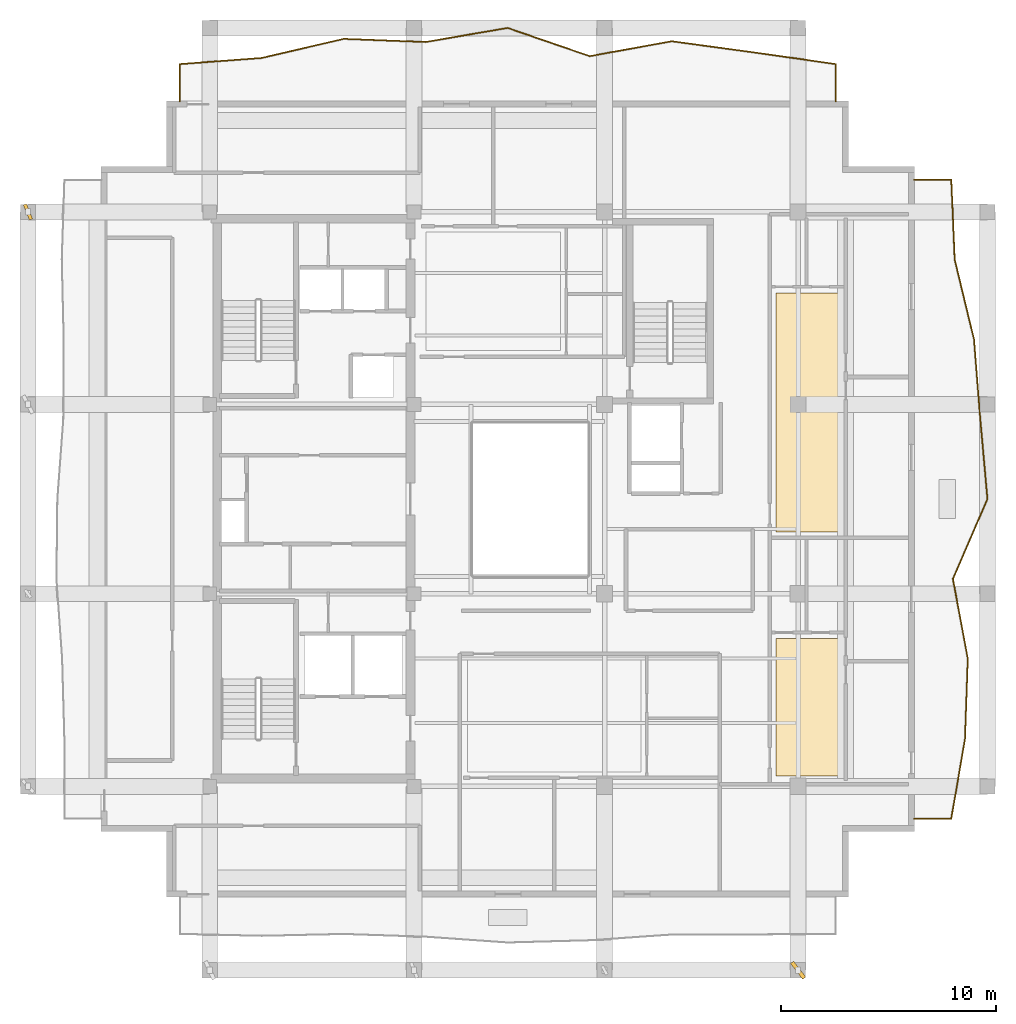
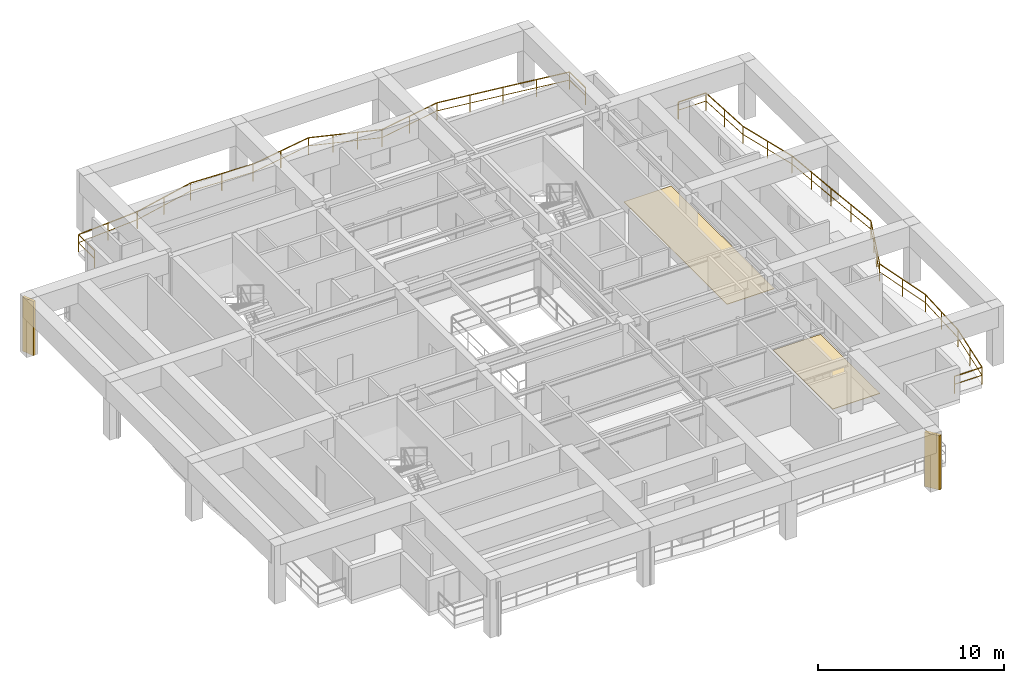
# One storey, part 9 of 10: 2 coverings, 2 railings, 2 shading devices.
"""IFC4 building model written with IfcOpenShell, lengths in metres."""

from ifc_helpers import new_model, si_unit, direction, frame, origin, origin_2d, place, context, subcontext, project, spatial, polyline, rectangle, outline, extrude, material, layer, layer_set, type_object, element, save


model = new_model("IFC4")

# Units and contexts
model_context = context("Model", 3, precision=1e-05, world=origin(), true_north=direction((0.0, 1.0)))
body_context = subcontext(model_context, "Body", "Model", "MODEL_VIEW")
ifc_project = project(units=[si_unit("LENGTHUNIT", "METRE"), si_unit("AREAUNIT", "SQUARE_METRE"), si_unit("VOLUMEUNIT", "CUBIC_METRE"), si_unit("PLANEANGLEUNIT", "RADIAN"), si_unit("MASSUNIT", "GRAM", prefix="KILO")], contexts=[model_context])

# Site, building, storey
site_placement = place(None, origin())
site = spatial("IfcSite", under=ifc_project, at=site_placement, CompositionType="ELEMENT")
building_placement = place(site_placement, origin())
building = spatial("IfcBuilding", under=site, at=building_placement, Name="Kundavana Baori Tower", CompositionType="ELEMENT")
storey_placement = place(building_placement, frame((0.0, 0.0, 323.89990234375)))
storey = spatial("IfcBuildingStorey", under=building, at=storey_placement, Name="L80", CompositionType="ELEMENT", Elevation=323.89990234375)

# Coverings
ifc_material_1 = material(Name="Honed Kota Stone and Terrazzo Flooring", Category="masonry")
ifc_layer = layer(ifc_material_1, 0.030029296875, Name="COV-INT-FLR")
ifc_layer_set = layer_set([ifc_layer], Name="Honed Kota Stone and Terrazzo Flooring")
covering_type = type_object("IfcCoveringType", Name="COV-INT-FLR", PredefinedType="FLOORING", material=ifc_layer_set)
covering_1_placement = place(storey_placement, origin())
element("IfcCovering", 1, at=covering_1_placement, inside=storey, type_object=covering_type, Name="L80 Room Finished Stone Flooring 3", PredefinedType="FLOORING", context=body_context, shape_type="SweptSolid", body=[
    extrude(outline(polyline([(41.780029296875, 15.72998046875), (44.719970703125, 15.72998046875), (44.719970703125, 22.1201171875), (41.780029296875, 22.1201171875), (41.780029296875, 15.72998046875)])), origin(), (0.0, 0.0, 1.0), 0.030029296875),
])
covering_2_placement = place(storey_placement, origin())
element("IfcCovering", 2, at=covering_2_placement, inside=storey, type_object=covering_type, Name="L80 Room Finished Stone Flooring 4", PredefinedType="FLOORING", context=body_context, shape_type="SweptSolid", body=[
    extrude(outline(polyline([(41.780029296875, 27.080078125), (44.719970703125, 27.080078125), (44.719970703125, 38.18994140625), (41.780029296875, 38.18994140625), (41.780029296875, 27.080078125)])), origin(), (0.0, 0.0, 1.0), 0.030029296875),
])

# Railings
ifc_material_2 = material(Name="Architectural Patinated Bronze Metalwork")
railing_type = type_object("IfcRailingType", Name="RL-BAL-1150", PredefinedType="BALUSTRADE", material=ifc_material_2)
railing_1_placement = place(storey_placement, frame((48.199951171875, 43.449951171875, 0.0)))
element("IfcRailing", 3, at=railing_1_placement, inside=storey, type_object=railing_type, Name="L80 Loggia Balcony Balustrade E", PredefinedType="BALUSTRADE", context=body_context, shape_type="SweptSolid", body=[
    extrude(rectangle(XDim=0.048095703125, YDim=0.048095703125, at=origin_2d()), frame((0.0, 0.0, 1.1259765625), z_axis=(1.0, 0.0, 0.0), x_axis=(0.0, 1.0, 0.0)), (0.0, 0.0, 1.0), 1.719970703125),
    extrude(rectangle(XDim=0.03125, YDim=0.03125, at=origin_2d()), frame((0.0, 0.0, 0.597900390625), z_axis=(1.0, 0.0, 0.0), x_axis=(0.0, 1.0, 0.0)), (0.0, 0.0, 1.0), 1.719970703125),
    extrude(rectangle(XDim=0.048095703125, YDim=0.048095703125, at=origin_2d()), frame((1.719970703125, 0.0, 1.1259765625), z_axis=(0.042844074896, -0.999081771051, 0.0), x_axis=(0.999081771051, 0.042844074896, 0.0)), (0.0, 0.0, 1.0), 3.71533203125),
    extrude(rectangle(XDim=0.03125, YDim=0.03125, at=origin_2d()), frame((1.719970703125, 0.0, 0.597900390625), z_axis=(0.042844074896, -0.999081771051, 0.0), x_axis=(0.999081771051, 0.042844074896, 0.0)), (0.0, 0.0, 1.0), 3.71533203125),
    extrude(rectangle(XDim=0.048095703125, YDim=0.048095703125, at=origin_2d()), frame((1.879150390625, -3.7119140625, 1.1259765625), z_axis=(0.234813379548, -0.972040470755, 0.0), x_axis=(0.972040470755, 0.234813379548, 0.0)), (0.0, 0.0, 1.0), 3.81982421875),
    extrude(rectangle(XDim=0.03125, YDim=0.03125, at=origin_2d()), frame((1.879150390625, -3.7119140625, 0.597900390625), z_axis=(0.234813379548, -0.972040470755, 0.0), x_axis=(0.972040470755, 0.234813379548, 0.0)), (0.0, 0.0, 1.0), 3.81982421875),
    extrude(rectangle(XDim=0.048095703125, YDim=0.048095703125, at=origin_2d()), frame((2.776123046875, -7.425048828125, 1.1259765625), z_axis=(0.078400750981, -0.996921923846, 0.0), x_axis=(0.996921923846, 0.078400750981, 0.0)), (0.0, 0.0, 1.0), 3.724365234375),
    extrude(rectangle(XDim=0.03125, YDim=0.03125, at=origin_2d()), frame((2.776123046875, -7.425048828125, 0.597900390625), z_axis=(0.078400750981, -0.996921923846, 0.0), x_axis=(0.996921923846, 0.078400750981, 0.0)), (0.0, 0.0, 1.0), 3.724365234375),
    extrude(rectangle(XDim=0.048095703125, YDim=0.048095703125, at=origin_2d()), frame((3.068115234375, -11.137939453125, 1.1259765625), z_axis=(0.089094418005, -0.996023184811, 0.0), x_axis=(0.996023184811, 0.089094418005, 0.0)), (0.0, 0.0, 1.0), 3.726806640625),
    extrude(rectangle(XDim=0.03125, YDim=0.03125, at=origin_2d()), frame((3.068115234375, -11.137939453125, 0.597900390625), z_axis=(0.089094418005, -0.996023184811, 0.0), x_axis=(0.996023184811, 0.089094418005, 0.0)), (0.0, 0.0, 1.0), 3.726806640625),
    extrude(rectangle(XDim=0.048095703125, YDim=0.048095703125, at=origin_2d()), frame((3.400146484375, -14.849853515625, 1.1259765625), z_axis=(-0.396649952163, -0.917969942563, 0.0), x_axis=(0.917969942563, -0.396649952163, 0.0)), (0.0, 0.0, 1.0), 4.0439453125),
    extrude(rectangle(XDim=0.03125, YDim=0.03125, at=origin_2d()), frame((3.400146484375, -14.849853515625, 0.597900390625), z_axis=(-0.396649952163, -0.917969942563, 0.0), x_axis=(0.917969942563, -0.396649952163, 0.0)), (0.0, 0.0, 1.0), 4.0439453125),
    extrude(rectangle(XDim=0.048095703125, YDim=0.048095703125, at=origin_2d()), frame((1.796142578125, -18.56201171875, 1.1259765625), z_axis=(0.183195604388, -0.983076482545, 0.0), x_axis=(0.983076482545, 0.183195604388, 0.0)), (0.0, 0.0, 1.0), 3.77685546875),
    extrude(rectangle(XDim=0.03125, YDim=0.03125, at=origin_2d()), frame((1.796142578125, -18.56201171875, 0.597900390625), z_axis=(0.183195604388, -0.983076482545, 0.0), x_axis=(0.983076482545, 0.183195604388, 0.0)), (0.0, 0.0, 1.0), 3.77685546875),
    extrude(rectangle(XDim=0.048095703125, YDim=0.048095703125, at=origin_2d()), frame((2.488037109375, -22.27490234375, 1.1259765625), z_axis=(-0.03469538491, -0.999397933891, 0.0), x_axis=(0.999397933891, -0.03469538491, 0.0)), (0.0, 0.0, 1.0), 3.71533203125),
    extrude(rectangle(XDim=0.03125, YDim=0.03125, at=origin_2d()), frame((2.488037109375, -22.27490234375, 0.597900390625), z_axis=(-0.03469538491, -0.999397933891, 0.0), x_axis=(0.999397933891, -0.03469538491, 0.0)), (0.0, 0.0, 1.0), 3.71533203125),
    extrude(rectangle(XDim=0.048095703125, YDim=0.048095703125, at=origin_2d()), frame((2.359130859375, -25.988037109375, 1.1259765625), z_axis=(-0.1696941949, -0.985496768243, 0.0), x_axis=(0.985496768243, -0.1696941949, 0.0)), (0.0, 0.0, 1.0), 3.7666015625),
    extrude(rectangle(XDim=0.03125, YDim=0.03125, at=origin_2d()), frame((2.359130859375, -25.988037109375, 0.597900390625), z_axis=(-0.1696941949, -0.985496768243, 0.0), x_axis=(0.985496768243, -0.1696941949, 0.0)), (0.0, 0.0, 1.0), 3.7666015625),
    extrude(rectangle(XDim=0.048095703125, YDim=0.048095703125, at=origin_2d()), frame((1.719970703125, -29.699951171875, 1.1259765625), z_axis=(-1.0, 0.0, 0.0), x_axis=(0.0, -1.0, 0.0)), (0.0, 0.0, 1.0), 1.719970703125),
    extrude(rectangle(XDim=0.03125, YDim=0.03125, at=origin_2d()), frame((1.719970703125, -29.699951171875, 0.597900390625), z_axis=(-1.0, 0.0, 0.0), x_axis=(0.0, -1.0, 0.0)), (0.0, 0.0, 1.0), 1.719970703125),
    extrude(rectangle(XDim=0.0419921875, YDim=0.0419921875, at=origin_2d()), origin(), (0.0, 0.0, 1.0), 1.101806640625),
    extrude(rectangle(XDim=0.0419921875, YDim=0.0419921875, at=origin_2d()), frame((1.719970703125, 0.0, 0.0)), (0.0, 0.0, 1.0), 1.101806640625),
    extrude(rectangle(XDim=0.0419921875, YDim=0.0419921875, at=origin_2d()), frame((1.799560546875, -1.85595703125, 0.0)), (0.0, 0.0, 1.0), 1.101806640625),
    extrude(rectangle(XDim=0.0419921875, YDim=0.0419921875, at=origin_2d()), frame((1.879150390625, -3.7119140625, 0.0)), (0.0, 0.0, 1.0), 1.101806640625),
    extrude(rectangle(XDim=0.0419921875, YDim=0.0419921875, at=origin_2d()), frame((2.32763671875, -5.568359375, 0.0)), (0.0, 0.0, 1.0), 1.101806640625),
    extrude(rectangle(XDim=0.0419921875, YDim=0.0419921875, at=origin_2d()), frame((2.776123046875, -7.425048828125, 0.0)), (0.0, 0.0, 1.0), 1.101806640625),
    extrude(rectangle(XDim=0.0419921875, YDim=0.0419921875, at=origin_2d()), frame((2.922119140625, -9.281494140625, 0.0)), (0.0, 0.0, 1.0), 1.101806640625),
    extrude(rectangle(XDim=0.0419921875, YDim=0.0419921875, at=origin_2d()), frame((3.068115234375, -11.137939453125, 0.0)), (0.0, 0.0, 1.0), 1.101806640625),
    extrude(rectangle(XDim=0.0419921875, YDim=0.0419921875, at=origin_2d()), frame((3.234130859375, -12.993896484375, 0.0)), (0.0, 0.0, 1.0), 1.101806640625),
    extrude(rectangle(XDim=0.0419921875, YDim=0.0419921875, at=origin_2d()), frame((3.400146484375, -14.849853515625, 0.0)), (0.0, 0.0, 1.0), 1.101806640625),
    extrude(rectangle(XDim=0.0419921875, YDim=0.0419921875, at=origin_2d()), frame((2.865478515625, -16.087158203125, 0.0)), (0.0, 0.0, 1.0), 1.101806640625),
    extrude(rectangle(XDim=0.0419921875, YDim=0.0419921875, at=origin_2d()), frame((2.330810546875, -17.32470703125, 0.0)), (0.0, 0.0, 1.0), 1.101806640625),
    extrude(rectangle(XDim=0.0419921875, YDim=0.0419921875, at=origin_2d()), frame((1.796142578125, -18.56201171875, 0.0)), (0.0, 0.0, 1.0), 1.101806640625),
    extrude(rectangle(XDim=0.0419921875, YDim=0.0419921875, at=origin_2d()), frame((2.14208984375, -20.41845703125, 0.0)), (0.0, 0.0, 1.0), 1.101806640625),
    extrude(rectangle(XDim=0.0419921875, YDim=0.0419921875, at=origin_2d()), frame((2.488037109375, -22.27490234375, 0.0)), (0.0, 0.0, 1.0), 1.101806640625),
    extrude(rectangle(XDim=0.0419921875, YDim=0.0419921875, at=origin_2d()), frame((2.423583984375, -24.13134765625, 0.0)), (0.0, 0.0, 1.0), 1.101806640625),
    extrude(rectangle(XDim=0.0419921875, YDim=0.0419921875, at=origin_2d()), frame((2.359130859375, -25.988037109375, 0.0)), (0.0, 0.0, 1.0), 1.101806640625),
    extrude(rectangle(XDim=0.0419921875, YDim=0.0419921875, at=origin_2d()), frame((2.03955078125, -27.843994140625, 0.0)), (0.0, 0.0, 1.0), 1.101806640625),
    extrude(rectangle(XDim=0.0419921875, YDim=0.0419921875, at=origin_2d()), frame((1.719970703125, -29.699951171875, 0.0)), (0.0, 0.0, 1.0), 1.101806640625),
    extrude(rectangle(XDim=0.0419921875, YDim=0.0419921875, at=origin_2d()), frame((0.0, -29.699951171875, 0.0)), (0.0, 0.0, 1.0), 1.101806640625),
])
railing_2_placement = place(storey_placement, frame((14.050048828125, 47.10009765625, 0.0)))
element("IfcRailing", 4, at=railing_2_placement, inside=storey, type_object=railing_type, Name="L80 Loggia Balcony Balustrade N", PredefinedType="BALUSTRADE", context=body_context, shape_type="SweptSolid", body=[
    extrude(rectangle(XDim=0.048095703125, YDim=0.048095703125, at=origin_2d()), frame((0.0, 0.0, 1.1259765625), z_axis=(0.0, 1.0, 0.0), x_axis=(-1.0, 0.0, 0.0)), (0.0, 0.0, 1.0), 1.719970703125),
    extrude(rectangle(XDim=0.03125, YDim=0.03125, at=origin_2d()), frame((0.0, 0.0, 0.597900390625), z_axis=(0.0, 1.0, 0.0), x_axis=(-1.0, 0.0, 0.0)), (0.0, 0.0, 1.0), 1.719970703125),
    extrude(rectangle(XDim=0.048095703125, YDim=0.048095703125, at=origin_2d()), frame((0.0, 1.719970703125, 1.1259765625), z_axis=(0.997200976314, 0.07476772591, 0.0), x_axis=(-0.07476772591, 0.997200976314, 0.0)), (0.0, 0.0, 1.0), 3.82373046875),
    extrude(rectangle(XDim=0.03125, YDim=0.03125, at=origin_2d()), frame((0.0, 1.719970703125, 0.597900390625), z_axis=(0.997200976314, 0.07476772591, 0.0), x_axis=(-0.07476772591, 0.997200976314, 0.0)), (0.0, 0.0, 1.0), 3.82373046875),
    extrude(rectangle(XDim=0.048095703125, YDim=0.048095703125, at=origin_2d()), frame((3.81298828125, 2.005859375, 1.1259765625), z_axis=(0.973927636414, 0.226858896736, 0.0), x_axis=(-0.226858896736, 0.973927636414, 0.0)), (0.0, 0.0, 1.0), 3.9140625),
    extrude(rectangle(XDim=0.03125, YDim=0.03125, at=origin_2d()), frame((3.81298828125, 2.005859375, 0.597900390625), z_axis=(0.973927636414, 0.226858896736, 0.0), x_axis=(-0.226858896736, 0.973927636414, 0.0)), (0.0, 0.0, 1.0), 3.9140625),
    extrude(rectangle(XDim=0.048095703125, YDim=0.048095703125, at=origin_2d()), frame((7.625, 2.893798828125, 1.1259765625), z_axis=(0.999267400577, -0.038270904672, 0.0), x_axis=(0.038270904672, 0.999267400577, 0.0)), (0.0, 0.0, 1.0), 3.814697265625),
    extrude(rectangle(XDim=0.03125, YDim=0.03125, at=origin_2d()), frame((7.625, 2.893798828125, 0.597900390625), z_axis=(0.999267400577, -0.038270904672, 0.0), x_axis=(0.038270904672, 0.999267400577, 0.0)), (0.0, 0.0, 1.0), 3.814697265625),
    extrude(rectangle(XDim=0.048095703125, YDim=0.048095703125, at=origin_2d()), frame((11.43701171875, 2.747802734375, 1.1259765625), z_axis=(0.985689143591, 0.16857316574, 0.0), x_axis=(-0.16857316574, 0.985689143591, 0.0)), (0.0, 0.0, 1.0), 3.868408203125),
    extrude(rectangle(XDim=0.03125, YDim=0.03125, at=origin_2d()), frame((11.43701171875, 2.747802734375, 0.597900390625), z_axis=(0.985689143591, 0.16857316574, 0.0), x_axis=(-0.16857316574, 0.985689143591, 0.0)), (0.0, 0.0, 1.0), 3.868408203125),
    extrude(rectangle(XDim=0.048095703125, YDim=0.048095703125, at=origin_2d()), frame((15.25, 3.39990234375, 1.1259765625), z_axis=(0.945711035483, -0.325008672755, 0.0), x_axis=(0.325008672755, 0.945711035483, 0.0)), (0.0, 0.0, 1.0), 4.03076171875),
    extrude(rectangle(XDim=0.03125, YDim=0.03125, at=origin_2d()), frame((15.25, 3.39990234375, 0.597900390625), z_axis=(0.945711035483, -0.325008672755, 0.0), x_axis=(0.325008672755, 0.945711035483, 0.0)), (0.0, 0.0, 1.0), 4.03076171875),
    extrude(rectangle(XDim=0.048095703125, YDim=0.048095703125, at=origin_2d()), frame((19.06201171875, 2.08984375, 1.1259765625), z_axis=(0.983876964926, 0.17884663231, 0.0), x_axis=(-0.17884663231, 0.983876964926, 0.0)), (0.0, 0.0, 1.0), 3.87548828125),
    extrude(rectangle(XDim=0.03125, YDim=0.03125, at=origin_2d()), frame((19.06201171875, 2.08984375, 0.597900390625), z_axis=(0.983876964926, 0.17884663231, 0.0), x_axis=(-0.17884663231, 0.983876964926, 0.0)), (0.0, 0.0, 1.0), 3.87548828125),
    extrude(rectangle(XDim=0.048095703125, YDim=0.048095703125, at=origin_2d()), frame((22.875, 2.782958984375, 1.1259765625), z_axis=(0.990891082933, -0.134665740872, 0.0), x_axis=(0.134665740872, 0.990891082933, 0.0)), (0.0, 0.0, 1.0), 3.84716796875),
    extrude(rectangle(XDim=0.03125, YDim=0.03125, at=origin_2d()), frame((22.875, 2.782958984375, 0.597900390625), z_axis=(0.990891082933, -0.134665740872, 0.0), x_axis=(0.134665740872, 0.990891082933, 0.0)), (0.0, 0.0, 1.0), 3.84716796875),
    extrude(rectangle(XDim=0.048095703125, YDim=0.048095703125, at=origin_2d()), frame((26.68701171875, 2.264892578125, 1.1259765625), z_axis=(0.989941886068, -0.141474599161, 0.0), x_axis=(0.141474599161, 0.989941886068, 0.0)), (0.0, 0.0, 1.0), 3.851806640625),
    extrude(rectangle(XDim=0.03125, YDim=0.03125, at=origin_2d()), frame((26.68701171875, 2.264892578125, 0.597900390625), z_axis=(0.989941886068, -0.141474599161, 0.0), x_axis=(0.141474599161, 0.989941886068, 0.0)), (0.0, 0.0, 1.0), 3.851806640625),
    extrude(rectangle(XDim=0.048095703125, YDim=0.048095703125, at=origin_2d()), frame((30.5, 1.719970703125, 1.1259765625), z_axis=(0.0, -1.0, 0.0), x_axis=(1.0, 0.0, 0.0)), (0.0, 0.0, 1.0), 1.719970703125),
    extrude(rectangle(XDim=0.03125, YDim=0.03125, at=origin_2d()), frame((30.5, 1.719970703125, 0.597900390625), z_axis=(0.0, -1.0, 0.0), x_axis=(1.0, 0.0, 0.0)), (0.0, 0.0, 1.0), 1.719970703125),
    extrude(rectangle(XDim=0.0419921875, YDim=0.0419921875, at=origin_2d()), origin(), (0.0, 0.0, 1.0), 1.101806640625),
    extrude(rectangle(XDim=0.0419921875, YDim=0.0419921875, at=origin_2d()), frame((0.0, 1.719970703125, 0.0)), (0.0, 0.0, 1.0), 1.101806640625),
    extrude(rectangle(XDim=0.0419921875, YDim=0.0419921875, at=origin_2d()), frame((1.906494140625, 1.86279296875, 0.0)), (0.0, 0.0, 1.0), 1.101806640625),
    extrude(rectangle(XDim=0.0419921875, YDim=0.0419921875, at=origin_2d()), frame((3.81298828125, 2.005859375, 0.0)), (0.0, 0.0, 1.0), 1.101806640625),
    extrude(rectangle(XDim=0.0419921875, YDim=0.0419921875, at=origin_2d()), frame((5.718994140625, 2.44970703125, 0.0)), (0.0, 0.0, 1.0), 1.101806640625),
    extrude(rectangle(XDim=0.0419921875, YDim=0.0419921875, at=origin_2d()), frame((7.625, 2.893798828125, 0.0)), (0.0, 0.0, 1.0), 1.101806640625),
    extrude(rectangle(XDim=0.0419921875, YDim=0.0419921875, at=origin_2d()), frame((9.531005859375, 2.82080078125, 0.0)), (0.0, 0.0, 1.0), 1.101806640625),
    extrude(rectangle(XDim=0.0419921875, YDim=0.0419921875, at=origin_2d()), frame((11.43701171875, 2.747802734375, 0.0)), (0.0, 0.0, 1.0), 1.101806640625),
    extrude(rectangle(XDim=0.0419921875, YDim=0.0419921875, at=origin_2d()), frame((13.343505859375, 3.07373046875, 0.0)), (0.0, 0.0, 1.0), 1.101806640625),
    extrude(rectangle(XDim=0.0419921875, YDim=0.0419921875, at=origin_2d()), frame((15.25, 3.39990234375, 0.0)), (0.0, 0.0, 1.0), 1.101806640625),
    extrude(rectangle(XDim=0.0419921875, YDim=0.0419921875, at=origin_2d()), frame((16.520751953125, 2.963134765625, 0.0)), (0.0, 0.0, 1.0), 1.101806640625),
    extrude(rectangle(XDim=0.0419921875, YDim=0.0419921875, at=origin_2d()), frame((17.791259765625, 2.526611328125, 0.0)), (0.0, 0.0, 1.0), 1.101806640625),
    extrude(rectangle(XDim=0.0419921875, YDim=0.0419921875, at=origin_2d()), frame((19.06201171875, 2.08984375, 0.0)), (0.0, 0.0, 1.0), 1.101806640625),
    extrude(rectangle(XDim=0.0419921875, YDim=0.0419921875, at=origin_2d()), frame((20.968505859375, 2.4365234375, 0.0)), (0.0, 0.0, 1.0), 1.101806640625),
    extrude(rectangle(XDim=0.0419921875, YDim=0.0419921875, at=origin_2d()), frame((22.875, 2.782958984375, 0.0)), (0.0, 0.0, 1.0), 1.101806640625),
    extrude(rectangle(XDim=0.0419921875, YDim=0.0419921875, at=origin_2d()), frame((24.781005859375, 2.52392578125, 0.0)), (0.0, 0.0, 1.0), 1.101806640625),
    extrude(rectangle(XDim=0.0419921875, YDim=0.0419921875, at=origin_2d()), frame((26.68701171875, 2.264892578125, 0.0)), (0.0, 0.0, 1.0), 1.101806640625),
    extrude(rectangle(XDim=0.0419921875, YDim=0.0419921875, at=origin_2d()), frame((28.593505859375, 1.992431640625, 0.0)), (0.0, 0.0, 1.0), 1.101806640625),
    extrude(rectangle(XDim=0.0419921875, YDim=0.0419921875, at=origin_2d()), frame((30.5, 1.719970703125, 0.0)), (0.0, 0.0, 1.0), 1.101806640625),
    extrude(rectangle(XDim=0.0419921875, YDim=0.0419921875, at=origin_2d()), frame((30.5, 0.0, 0.0)), (0.0, 0.0, 1.0), 1.101806640625),
])

# Shading devices
ifc_material_3 = material(Name="Red-Buff Dholpur Sandstone Cladding on Concrete C40/50", Category="masonry")
shading_device_type_1 = type_object("IfcShadingDeviceType", Name="SHD-FIN-750", PredefinedType="JALOUSIE", material=ifc_material_3)
shading_device_1_placement = place(storey_placement, frame((7.0, 41.949951171875, 0.0), z_axis=(0.0, 0.0, 1.0), x_axis=(0.926659901464, 0.375900820721, 0.0)))
element("IfcShadingDevice", 5, at=shading_device_1_placement, inside=storey, type_object=shading_device_type_1, Name="L80 Sweeping Dholpur Sandstone Facade Fin 8", PredefinedType="JALOUSIE", context=body_context, shape_type="SweptSolid", body=[
    extrude(rectangle(XDim=0.159912109375, YDim=0.75, at=origin_2d()), origin(), (0.0, 0.0, 1.0), 3.56005859375),
])
ifc_material_4 = material(Name="Red-Buff Dholpur Sandstone Cladding on Concrete C40/50", Category="masonry")
shading_device_type_2 = type_object("IfcShadingDeviceType", Name="SHD-FIN-920", PredefinedType="JALOUSIE", material=ifc_material_4)
shading_device_2_placement = place(storey_placement, frame((42.800048828125, 6.699951171875, 0.0), z_axis=(0.0, 0.0, 1.0), x_axis=(0.793247079295, 0.608899886015, 0.0)))
element("IfcShadingDevice", 6, at=shading_device_2_placement, inside=storey, type_object=shading_device_type_2, Name="L80 Sweeping Dholpur Sandstone Facade Fin 4", PredefinedType="JALOUSIE", context=body_context, shape_type="SweptSolid", body=[
    extrude(rectangle(XDim=0.179931640625, YDim=0.919921875, at=origin_2d()), origin(), (0.0, 0.0, 1.0), 3.56005859375),
])

save(model, "model.ifc")
